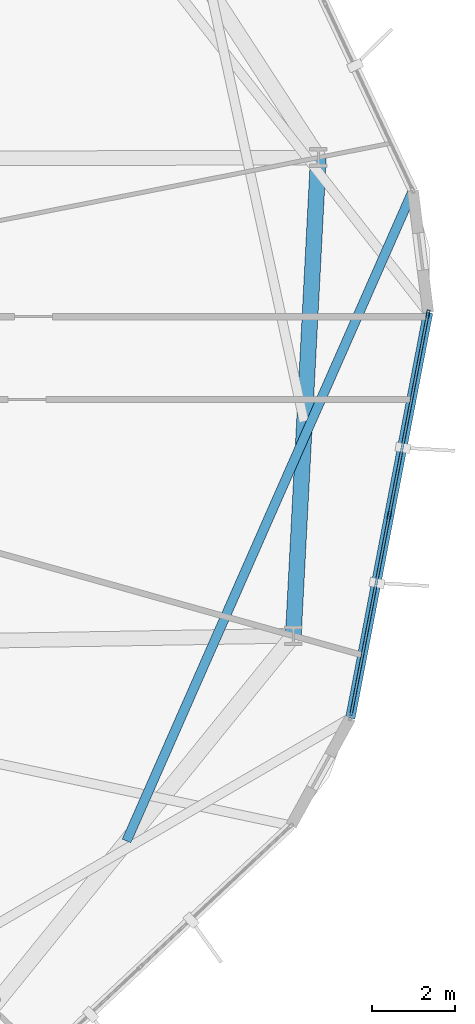
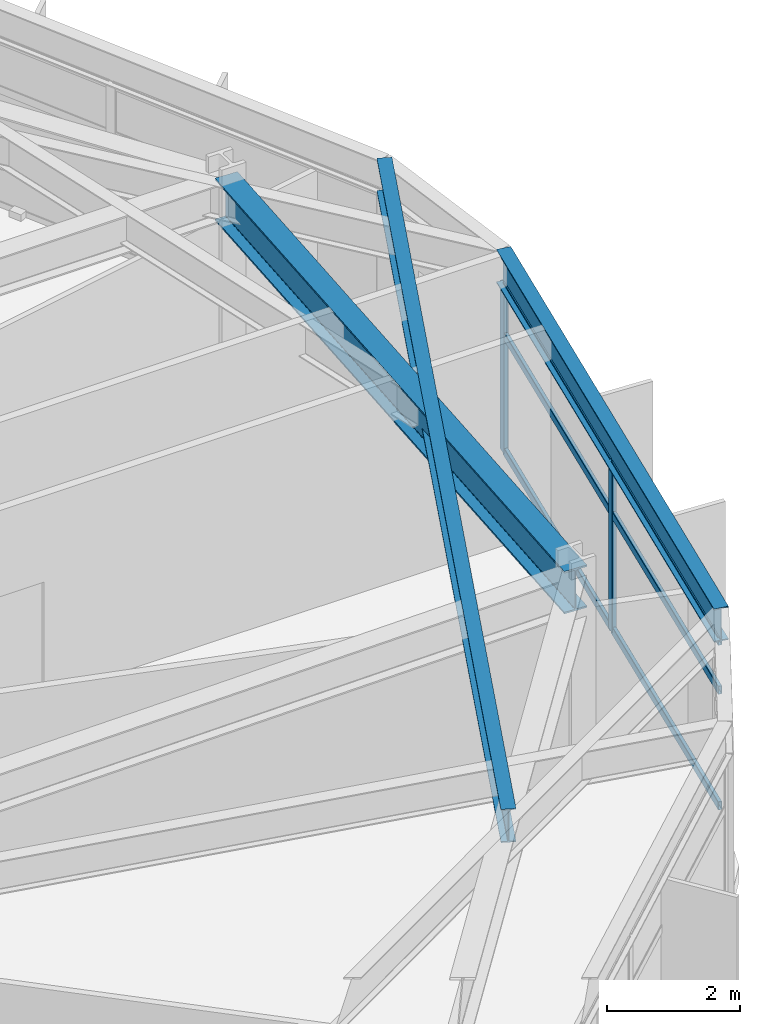
# One storey, part 9 of 22: 8 members, 3 beams, 1 element without a shape of its own.
"""IFC4 building model written with IfcOpenShell, lengths in metres."""

from ifc_helpers import new_model, si_unit, direction, frame, origin, origin_2d, place, context, subcontext, project, spatial, hollow_rectangle, i_section, extrude, material, layer, layer_set, material_profile, profile_set, type_object, element, aggregate, save


model = new_model("IFC4")

# Units and contexts
model_context = context("Model", 3, precision=1e-05, world=origin(), true_north=direction((0.0, 1.0)))
body_context = subcontext(model_context, "Body", "Model", "MODEL_VIEW")
ifc_project = project(units=[si_unit("LENGTHUNIT", "METRE"), si_unit("AREAUNIT", "SQUARE_METRE"), si_unit("VOLUMEUNIT", "CUBIC_METRE"), si_unit("PLANEANGLEUNIT", "RADIAN"), si_unit("MASSUNIT", "GRAM", prefix="KILO")], contexts=[model_context])

# Site, building, storey
site_placement = place(None, origin())
site = spatial("IfcSite", under=ifc_project, at=site_placement, CompositionType="ELEMENT")
building_placement = place(site_placement, origin())
building = spatial("IfcBuilding", under=site, at=building_placement, Name="Soratama Intermodal Tower", CompositionType="ELEMENT")
storey_placement = place(building_placement, frame((0.0, 0.0, 54.60009765625)))
storey = spatial("IfcBuildingStorey", under=building, at=storey_placement, Name="L12", CompositionType="ELEMENT", Elevation=54.60009765625)

# Beams
ifc_material_1 = material(Name="Structural steel ASTM A992 Grade 50", Category="steel")
ifc_material_profile_1 = material_profile(ifc_material_1, i_section(OverallWidth=0.382080078125, OverallDepth=0.779052734375, WebThickness=0.01806640625, FlangeThickness=0.030029296875, FilletRadius=0.01806640625, at=origin_2d()), Name="W30X191")
ifc_profile_set_1 = profile_set([ifc_material_profile_1], Name="Structural steel ASTM A992 Grade 50")
beam_type_1 = type_object("IfcBeamType", Name="BM-RING-W30X191", PredefinedType="BEAM", material=ifc_profile_set_1)
beam_1_placement = place(storey_placement, frame((62.47705078125, 18.291015625, 3.310302734375), z_axis=(0.052289698717, 0.998631957935, 0.0), x_axis=(-0.998631957935, 0.052289698717, 0.0)))
element("IfcBeam", 1, at=beam_1_placement, inside=storey, type_object=beam_type_1, Name="BM-L12-RING-10", PredefinedType="BEAM", context=body_context, shape_type="SweptSolid", body=[
    extrude(i_section(OverallWidth=0.382080078125, OverallDepth=0.779052734375, WebThickness=0.01806640625, FlangeThickness=0.030029296875, FilletRadius=0.01806640625, at=origin_2d()), origin(), (0.0, 0.0, 1.0), 11.56982421875),
])
ifc_material_2 = material(Name="Structural steel ASTM A992 Grade 50", Category="steel")
ifc_material_profile_2 = material_profile(ifc_material_2, i_section(OverallWidth=0.22900390625, OverallDepth=0.612060546875, WebThickness=0.011962890625, FlangeThickness=0.01953125, FilletRadius=0.012939453125, at=origin_2d()), Name="W24X84")
ifc_profile_set_2 = profile_set([ifc_material_profile_2], Name="Structural steel ASTM A992 Grade 50")
beam_type_2 = type_object("IfcBeamType", Name="BM-SPN-W24X84", PredefinedType="SPANDREL", material=ifc_profile_set_2)
beam_2_placement = place(storey_placement, frame((63.85498046875, 16.302001953125, 3.393798828125), z_axis=(0.188412710904, 0.982089940061, 0.0), x_axis=(-0.982089940061, 0.188412710904, 0.0)))
element("IfcBeam", 2, at=beam_2_placement, inside=storey, type_object=beam_type_2, Name="BS-L12-F10", PredefinedType="SPANDREL", context=body_context, shape_type="SweptSolid", body=[
    extrude(i_section(OverallWidth=0.22900390625, OverallDepth=0.612060546875, WebThickness=0.011962890625, FlangeThickness=0.01953125, FilletRadius=0.012939453125, at=origin_2d()), origin(), (0.0, 0.0, 1.0), 9.978759765625),
])
ifc_material_3 = material(Name="Structural steel ASTM A992 Grade 50", Category="steel")
ifc_material_profile_3 = material_profile(ifc_material_3, i_section(OverallWidth=0.22900390625, OverallDepth=0.612060546875, WebThickness=0.011962890625, FlangeThickness=0.01953125, FilletRadius=0.012939453125, at=origin_2d()), Name="W24X84")
ifc_profile_set_3 = profile_set([ifc_material_profile_3], Name="Structural steel ASTM A992 Grade 50")
beam_type_3 = type_object("IfcBeamType", Name="BM-TIE-W24X84", PredefinedType="BEAM", material=ifc_profile_set_3)
beam_3_placement = place(storey_placement, frame((58.448974609375, 13.333984375, 3.393798828125), z_axis=(0.402969265533, 0.915213511174, 0.0), x_axis=(-0.915213511174, 0.402969265533, 0.0)))
element("IfcBeam", 3, at=beam_3_placement, inside=storey, type_object=beam_type_3, Name="BM-L12-TIE0-01", PredefinedType="BEAM", context=body_context, shape_type="SweptSolid", body=[
    extrude(i_section(OverallWidth=0.22900390625, OverallDepth=0.612060546875, WebThickness=0.011962890625, FlangeThickness=0.01953125, FilletRadius=0.012939453125, at=origin_2d()), origin(), (0.0, 0.0, 1.0), 17.16748046875),
])

# Curtain wall, members
ifc_material_4 = material(Name="Double-glazed aluminium curtain wall", Category="aluminium")
ifc_layer = layer(ifc_material_4, 0.159912109375)
ifc_layer_set = layer_set([ifc_layer], Name="Double-glazed aluminium curtain wall")
curtain_wall_type = type_object("IfcCurtainWallType", Name="CW-SYS-2", PredefinedType="NOTDEFINED", material=ifc_layer_set)
curtain_wall_placement = place(storey_placement, origin())
curtain_wall = element("IfcCurtainWall", 4, at=curtain_wall_placement, inside=storey, type_object=curtain_wall_type, Name="L12 Faceted Curtain Wall F10", PredefinedType="NOTDEFINED")
ifc_material_5 = material(Name="Anodised aluminium AA 6063-T6", Category="aluminium")
ifc_material_profile_4 = material_profile(ifc_material_5, hollow_rectangle(XDim=0.074951171875, YDim=0.179931640625, WallThickness=0.006103515625, InnerFilletRadius=0.006103515625, OuterFilletRadius=0.011962890625, at=origin_2d()), Name="CWM180X75X6")
ifc_profile_set_4 = profile_set([ifc_material_profile_4], Name="Anodised aluminium AA 6063-T6")
member_type_1 = type_object("IfcMemberType", Name="MT-CWM-2", PredefinedType="MULLION", material=ifc_profile_set_4)
member_1_placement = place(storey_placement, frame((64.795166015625, 21.202392578125, 0.0), z_axis=(0.0, 0.0, 1.0), x_axis=(-0.982091333339, 0.188405448385, 0.0)))
member_1 = element("IfcMember", 5, at=member_1_placement, type_object=member_type_1, Name="CW-2 mullion 2", PredefinedType="MULLION", context=body_context, shape_type="SweptSolid", body=[
    extrude(hollow_rectangle(XDim=0.074951171875, YDim=0.179931640625, WallThickness=0.006103515625, InnerFilletRadius=0.006103515625, OuterFilletRadius=0.011962890625, at=origin_2d()), origin(), (0.0, 0.0, 1.0), 3.078857421875),
])
member_2_placement = place(storey_placement, frame((65.729736328125, 26.072998046875, 0.0), z_axis=(0.0, 0.0, 1.0), x_axis=(-0.982091333339, 0.188405448385, 0.0)))
member_2 = element("IfcMember", 6, at=member_2_placement, type_object=member_type_1, Name="CW-2 mullion 3", PredefinedType="MULLION", context=body_context, shape_type="SweptSolid", body=[
    extrude(hollow_rectangle(XDim=0.074951171875, YDim=0.179931640625, WallThickness=0.006103515625, InnerFilletRadius=0.006103515625, OuterFilletRadius=0.011962890625, at=origin_2d()), origin(), (0.0, 0.0, 1.0), 3.078857421875),
])
ifc_material_6 = material(Name="Anodised aluminium AA 6063-T6", Category="aluminium")
ifc_material_profile_5 = material_profile(ifc_material_6, hollow_rectangle(XDim=0.06494140625, YDim=0.14990234375, WallThickness=0.0048828125, InnerFilletRadius=0.0048828125, OuterFilletRadius=0.010009765625, at=origin_2d()), Name="CWT150X65X5")
ifc_profile_set_5 = profile_set([ifc_material_profile_5], Name="Anodised aluminium AA 6063-T6")
member_type_2 = type_object("IfcMemberType", Name="TT-CWT-1", PredefinedType="USERDEFINED", material=ifc_profile_set_5)
member_3_placement = place(storey_placement, frame((63.866455078125, 16.361083984375, 0.02978515625), z_axis=(0.188405661219, 0.982091292508, 0.0), x_axis=(-0.982091292508, 0.188405661219, 0.0)))
member_3 = element("IfcMember", 7, at=member_3_placement, type_object=member_type_2, Name="CW-2 transom 1.1", ObjectType="TRANSOM", PredefinedType="USERDEFINED", context=body_context, shape_type="SweptSolid", body=[
    extrude(hollow_rectangle(XDim=0.06494140625, YDim=0.14990234375, WallThickness=0.0048828125, InnerFilletRadius=0.0048828125, OuterFilletRadius=0.010009765625, at=origin_2d()), origin(), (0.0, 0.0, 1.0), 4.8994140625),
])
member_4_placement = place(storey_placement, frame((63.866455078125, 16.361083984375, 2.14990234375), z_axis=(0.188405661219, 0.982091292508, 0.0), x_axis=(-0.982091292508, 0.188405661219, 0.0)))
member_4 = element("IfcMember", 8, at=member_4_placement, type_object=member_type_2, Name="CW-2 transom 1.2", ObjectType="TRANSOM", PredefinedType="USERDEFINED", context=body_context, shape_type="SweptSolid", body=[
    extrude(hollow_rectangle(XDim=0.06494140625, YDim=0.14990234375, WallThickness=0.0048828125, InnerFilletRadius=0.0048828125, OuterFilletRadius=0.010009765625, at=origin_2d()), origin(), (0.0, 0.0, 1.0), 4.8994140625),
])
member_5_placement = place(storey_placement, frame((63.866455078125, 16.361083984375, 3.048828125), z_axis=(0.188405661219, 0.982091292508, 0.0), x_axis=(-0.982091292508, 0.188405661219, 0.0)))
member_5 = element("IfcMember", 9, at=member_5_placement, type_object=member_type_2, Name="CW-2 transom 1.3", ObjectType="TRANSOM", PredefinedType="USERDEFINED", context=body_context, shape_type="SweptSolid", body=[
    extrude(hollow_rectangle(XDim=0.06494140625, YDim=0.14990234375, WallThickness=0.0048828125, InnerFilletRadius=0.0048828125, OuterFilletRadius=0.010009765625, at=origin_2d()), origin(), (0.0, 0.0, 1.0), 4.8994140625),
])
member_6_placement = place(storey_placement, frame((64.80078125, 21.23193359375, 0.02978515625), z_axis=(0.188414881708, 0.982089523593, 0.0), x_axis=(-0.982089523593, 0.188414881708, 0.0)))
member_6 = element("IfcMember", 10, at=member_6_placement, type_object=member_type_2, Name="CW-2 transom 2.1", ObjectType="TRANSOM", PredefinedType="USERDEFINED", context=body_context, shape_type="SweptSolid", body=[
    extrude(hollow_rectangle(XDim=0.06494140625, YDim=0.14990234375, WallThickness=0.0048828125, InnerFilletRadius=0.0048828125, OuterFilletRadius=0.010009765625, at=origin_2d()), origin(), (0.0, 0.0, 1.0), 4.899169921875),
])
member_7_placement = place(storey_placement, frame((64.80078125, 21.23193359375, 2.14990234375), z_axis=(0.188414881708, 0.982089523593, 0.0), x_axis=(-0.982089523593, 0.188414881708, 0.0)))
member_7 = element("IfcMember", 11, at=member_7_placement, type_object=member_type_2, Name="CW-2 transom 2.2", ObjectType="TRANSOM", PredefinedType="USERDEFINED", context=body_context, shape_type="SweptSolid", body=[
    extrude(hollow_rectangle(XDim=0.06494140625, YDim=0.14990234375, WallThickness=0.0048828125, InnerFilletRadius=0.0048828125, OuterFilletRadius=0.010009765625, at=origin_2d()), origin(), (0.0, 0.0, 1.0), 4.899169921875),
])
member_8_placement = place(storey_placement, frame((64.80078125, 21.23193359375, 3.048828125), z_axis=(0.188414881708, 0.982089523593, 0.0), x_axis=(-0.982089523593, 0.188414881708, 0.0)))
member_8 = element("IfcMember", 12, at=member_8_placement, type_object=member_type_2, Name="CW-2 transom 2.3", ObjectType="TRANSOM", PredefinedType="USERDEFINED", context=body_context, shape_type="SweptSolid", body=[
    extrude(hollow_rectangle(XDim=0.06494140625, YDim=0.14990234375, WallThickness=0.0048828125, InnerFilletRadius=0.0048828125, OuterFilletRadius=0.010009765625, at=origin_2d()), origin(), (0.0, 0.0, 1.0), 4.899169921875),
])
aggregate(curtain_wall, [member_1, member_2, member_3, member_4, member_5, member_6, member_7, member_8])

save(model, "model.ifc")
